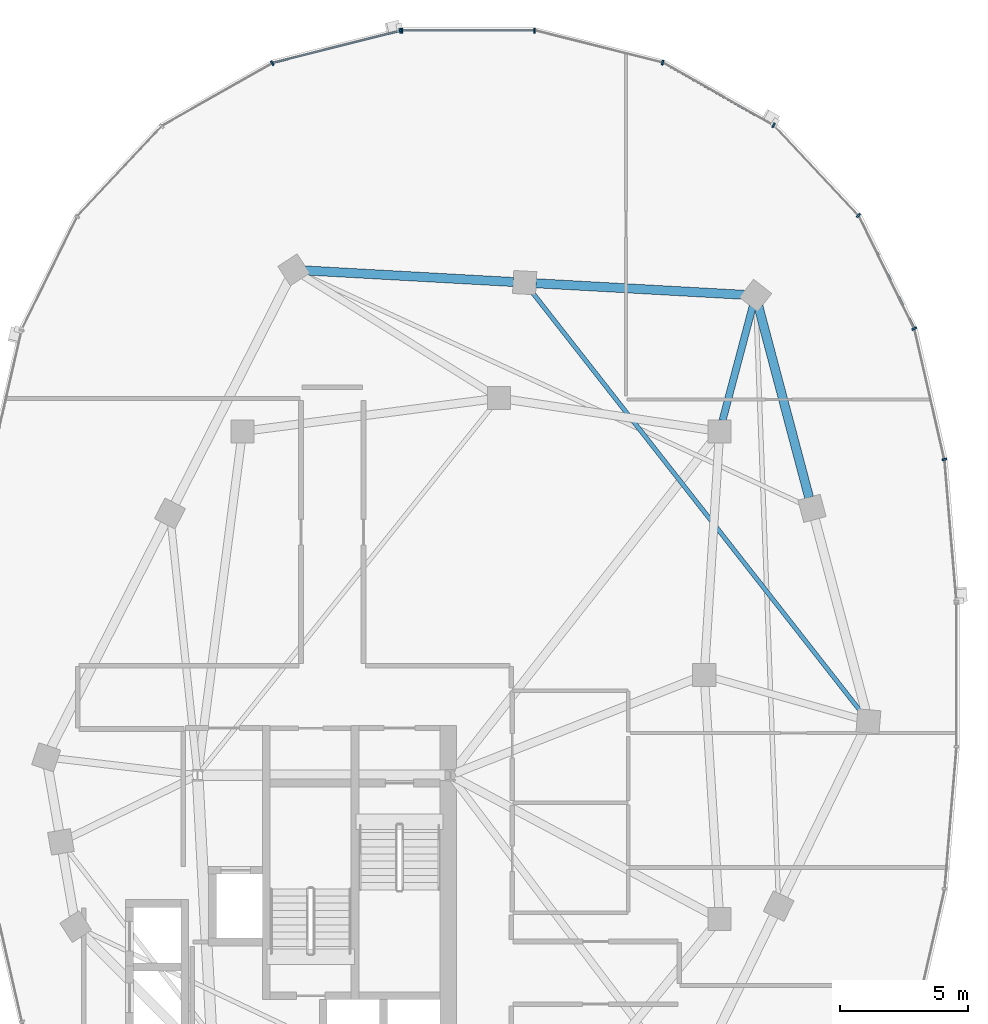
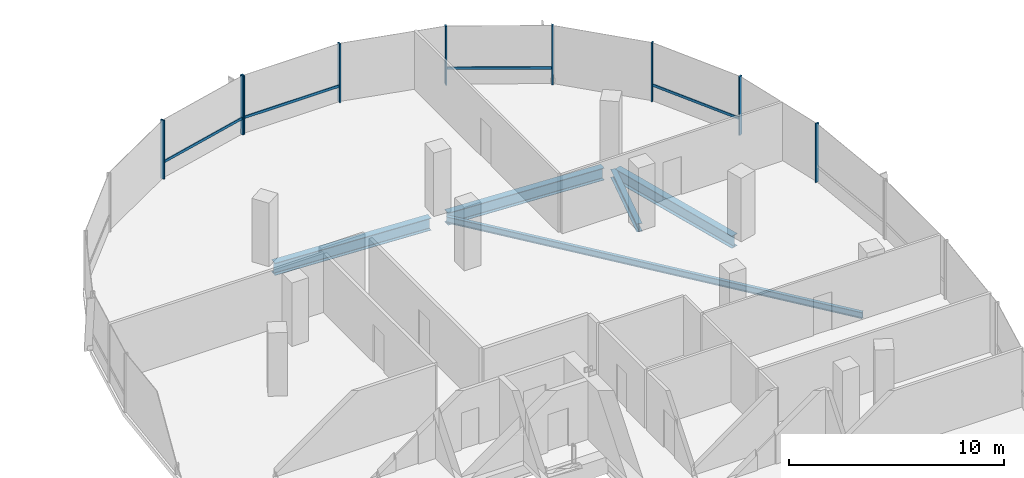
# One storey, part 12 of 25: 13 members, 5 beams, 2 elements without a shape of their own.
"""IFC4 building model written with IfcOpenShell, lengths in metres."""

from ifc_helpers import new_model, si_unit, direction, frame, origin, origin_2d, place, context, subcontext, project, spatial, rectangle, i_section, extrude, material, material_profile, profile_set, type_object, element, aggregate, save


model = new_model("IFC4")

# Units and contexts
model_context = context("Model", 3, precision=1e-05, world=origin(), true_north=direction((0.0, 1.0)))
body_context = subcontext(model_context, "Body", "Model", "MODEL_VIEW")
ifc_project = project(units=[si_unit("LENGTHUNIT", "METRE"), si_unit("AREAUNIT", "SQUARE_METRE"), si_unit("VOLUMEUNIT", "CUBIC_METRE"), si_unit("PLANEANGLEUNIT", "RADIAN"), si_unit("MASSUNIT", "GRAM", prefix="KILO"), si_unit("THERMODYNAMICTEMPERATUREUNIT", "KELVIN"), si_unit("POWERUNIT", "WATT")], contexts=[model_context])

# Site, building, storey
site_placement = place(None, origin())
site = spatial("IfcSite", under=ifc_project, at=site_placement, CompositionType="ELEMENT")
building_placement = place(site_placement, origin())
building = spatial("IfcBuilding", under=site, at=building_placement, Name="Cundina Bronze Exchange", CompositionType="ELEMENT")
storey_placement = place(building_placement, frame((0.0, 0.0, 217.0)))
storey = spatial("IfcBuildingStorey", under=building, at=storey_placement, Name="L57", CompositionType="ELEMENT", Elevation=217.0)

# Beams
ifc_material_1 = material(Name="Steel ASTM A992 Grade 50", Category="steel")
ifc_material_profile_1 = material_profile(ifc_material_1, i_section(OverallWidth=0.280029296875, OverallDepth=0.462890625, WebThickness=0.0107421875, FlangeThickness=0.017333984375, FilletRadius=0.011962890625, at=origin_2d()), Name="W18X76", Category="steel")
ifc_profile_set_1 = profile_set([ifc_material_profile_1], Name="Steel ASTM A992 Grade 50")
beam_type_1 = type_object("IfcBeamType", Name="BM-FLR-W18A", PredefinedType="BEAM", material=ifc_profile_set_1)
beam_1_placement = place(storey_placement, frame((41.911865234375, 9.923583984375, -0.491455078125), z_axis=(0.255398602339, 0.96683584642, 0.0), x_axis=(-0.96683584642, 0.255398602339, 0.0)))
element("IfcBeam", 1, at=beam_1_placement, inside=storey, type_object=beam_type_1, Name="L57 Leg E Chordal Floor Beam 10", PredefinedType="BEAM", context=body_context, shape_type="SweptSolid", body=[
    extrude(i_section(OverallWidth=0.280029296875, OverallDepth=0.462890625, WebThickness=0.0107421875, FlangeThickness=0.017333984375, FilletRadius=0.011962890625, at=origin_2d()), origin(), (0.0, 0.0, 1.0), 4.605712890625),
])
ifc_material_profile_2 = material_profile(ifc_material_1, i_section(OverallWidth=0.172119140625, OverallDepth=0.35791015625, WebThickness=0.0078125, FlangeThickness=0.01318359375, FilletRadius=0.010009765625, at=origin_2d()), Name="W14X38", Category="steel")
ifc_profile_set_2 = profile_set([ifc_material_profile_2], Name="Steel ASTM A992 Grade 50")
beam_type_2 = type_object("IfcBeamType", Name="BM-JST-W14", PredefinedType="JOIST", material=ifc_profile_set_2)
beam_2_placement = place(storey_placement, frame((47.329833984375, -1.455078125, -0.43896484375), z_axis=(-0.616810493522, 0.787111691618, 0.0), x_axis=(-0.787111691618, -0.616810493522, 0.0)))
element("IfcBeam", 2, at=beam_2_placement, inside=storey, type_object=beam_type_2, Name="L57 Leg E Lobe Floor Joist 08-11", PredefinedType="JOIST", context=body_context, shape_type="SweptSolid", body=[
    extrude(i_section(OverallWidth=0.172119140625, OverallDepth=0.35791015625, WebThickness=0.0078125, FlangeThickness=0.01318359375, FilletRadius=0.010009765625, at=origin_2d()), origin(), (0.0, 0.0, 1.0), 20.8486328125),
])
ifc_material_profile_3 = material_profile(ifc_material_1, i_section(OverallWidth=0.35498046875, OverallDepth=0.695068359375, WebThickness=0.015380859375, FlangeThickness=0.02490234375, FilletRadius=0.01806640625, at=origin_2d()), Name="W27X146", Category="steel")
ifc_profile_set_3 = profile_set([ifc_material_profile_3], Name="Steel ASTM A992 Grade 50")
beam_type_3 = type_object("IfcBeamType", Name="BM-RING-W27", PredefinedType="USERDEFINED", material=ifc_profile_set_3)
beam_3_placement = place(storey_placement, frame((45.287841796875, 6.92333984375, -0.607421875), z_axis=(-0.256211934474, 0.966620631185, 0.0), x_axis=(-0.966620631185, -0.256211934474, 0.0)))
element("IfcBeam", 3, at=beam_3_placement, inside=storey, type_object=beam_type_3, Name="L57 E Perimeter Ring Girder 09", ObjectType="GIRDER", PredefinedType="USERDEFINED", context=body_context, shape_type="SweptSolid", body=[
    extrude(i_section(OverallWidth=0.35498046875, OverallDepth=0.695068359375, WebThickness=0.015380859375, FlangeThickness=0.02490234375, FilletRadius=0.01806640625, at=origin_2d()), origin(), (0.0, 0.0, 1.0), 7.710693359375),
])
for number, where, z_axis, x_axis, name in (
    (4, (42.7626953125, 14.82421875, -0.607421875), (-0.998460353205, 0.055470019623, 0.0), (-0.055470019623, -0.998460353205, 0.0), "L57 E Perimeter Ring Girder 10"),
    (5, (33.7626953125, 15.32421875, -0.607421875), (-0.998460353205, 0.055470019623, 0.0), (-0.055470019623, -0.998460353205, 0.0), "L57 E Perimeter Ring Girder 11"),
):
    element("IfcBeam", number, at=place(storey_placement, frame(where, z_axis=z_axis, x_axis=x_axis)), inside=storey, type_object=beam_type_3, Name=name, ObjectType="GIRDER", PredefinedType="USERDEFINED", context=body_context, shape_type="SweptSolid", body=[
        extrude(i_section(OverallWidth=0.35498046875, OverallDepth=0.695068359375, WebThickness=0.015380859375, FlangeThickness=0.02490234375, FilletRadius=0.01806640625, at=origin_2d()), origin(), (0.0, 0.0, 1.0), 8.137939453125),
    ])

# Curtain wall, members
ifc_material_2 = material(Name="Anodised Bronze Aluminium 6063-T6", Category="aluminium")
curtain_wall_type = type_object("IfcCurtainWallType", Name="CWS-UPP-OFF", PredefinedType="NOTDEFINED", material=ifc_material_2)
curtain_wall_1_placement = place(storey_placement, origin())
curtain_wall_1 = element("IfcCurtainWall", 6, at=curtain_wall_1_placement, inside=storey, type_object=curtain_wall_type, Name="L57 CW-05 Curtain Wall Run CWR-L57-E1", PredefinedType="NOTDEFINED")
ifc_material_profile_4 = material_profile(ifc_material_2, rectangle(XDim=0.070068359375, YDim=0.18994140625, at=origin_2d()), Name="AL70X190", Category="aluminium")
ifc_profile_set_4 = profile_set([ifc_material_profile_4], Name="Anodised Bronze Aluminium 6063-T6")
member_type_1 = type_object("IfcMemberType", Name="CWM-MUL-190", PredefinedType="MULLION", material=ifc_profile_set_4)
member_1_placement = place(storey_placement, frame((50.56005859375, 8.4111328125, 0.0), z_axis=(0.0, 0.0, 1.0), x_axis=(-0.223250116011, 0.974761194191, 0.0)))
member_1 = element("IfcMember", 7, at=member_1_placement, type_object=member_type_1, Name="CW-05 Mullion 2", PredefinedType="MULLION", context=body_context, shape_type="SweptSolid", body=[
    extrude(rectangle(XDim=0.070068359375, YDim=0.18994140625, at=origin_2d()), origin(), (0.0, 0.0, 1.0), 3.340087890625),
])
member_2_placement = place(storey_placement, frame((49.38427734375, 13.50732421875, 0.0), z_axis=(0.0, 0.0, 1.0), x_axis=(-0.440566004113, 0.897720221461, 0.0)))
member_2 = element("IfcMember", 8, at=member_2_placement, type_object=member_type_1, Name="CW-05 Mullion 3", PredefinedType="MULLION", context=body_context, shape_type="SweptSolid", body=[
    extrude(rectangle(XDim=0.070068359375, YDim=0.18994140625, at=origin_2d()), origin(), (0.0, 0.0, 1.0), 3.340087890625),
])
member_3_placement = place(storey_placement, frame((47.209716796875, 17.91796875, 0.0), z_axis=(0.0, 0.0, 1.0), x_axis=(-0.684292606175, 0.729207535023, 0.0)))
member_3 = element("IfcMember", 9, at=member_3_placement, type_object=member_type_1, Name="CW-05 Mullion 4", PredefinedType="MULLION", context=body_context, shape_type="SweptSolid", body=[
    extrude(rectangle(XDim=0.070068359375, YDim=0.18994140625, at=origin_2d()), origin(), (0.0, 0.0, 1.0), 3.340087890625),
])
member_4_placement = place(storey_placement, frame((43.899658203125, 21.43115234375, 0.0), z_axis=(0.0, 0.0, 1.0), x_axis=(-0.86958112538, 0.493790103568, 0.0)))
member_4 = element("IfcMember", 10, at=member_4_placement, type_object=member_type_1, Name="CW-05 Mullion 5", PredefinedType="MULLION", context=body_context, shape_type="SweptSolid", body=[
    extrude(rectangle(XDim=0.070068359375, YDim=0.18994140625, at=origin_2d()), origin(), (0.0, 0.0, 1.0), 3.340087890625),
])
member_5_placement = place(storey_placement, frame((39.577392578125, 23.87548828125, 0.0), z_axis=(0.0, 0.0, 1.0), x_axis=(-0.969744325821, 0.244122802168, 0.0)))
member_5 = element("IfcMember", 11, at=member_5_placement, type_object=member_type_1, Name="CW-05 Mullion 6", PredefinedType="MULLION", context=body_context, shape_type="SweptSolid", body=[
    extrude(rectangle(XDim=0.070068359375, YDim=0.18994140625, at=origin_2d()), origin(), (0.0, 0.0, 1.0), 3.340087890625),
])
member_6_placement = place(storey_placement, frame((34.580078125, 25.125, 0.0), z_axis=(0.0, 0.0, 1.0), x_axis=(-1.0, 0.0, 0.0)))
member_6 = element("IfcMember", 12, at=member_6_placement, type_object=member_type_1, Name="CW-05 Mullion 7", PredefinedType="MULLION", context=body_context, shape_type="SweptSolid", body=[
    extrude(rectangle(XDim=0.070068359375, YDim=0.18994140625, at=origin_2d()), origin(), (0.0, 0.0, 1.0), 3.340087890625),
])
member_7_placement = place(storey_placement, frame((29.419921875, 25.125, 0.0), z_axis=(0.0, 0.0, 1.0), x_axis=(-1.0, 0.0, 0.0)))
member_7 = element("IfcMember", 13, at=member_7_placement, type_object=member_type_1, Name="CW-05 End Mullion", PredefinedType="MULLION", context=body_context, shape_type="SweptSolid", body=[
    extrude(rectangle(XDim=0.070068359375, YDim=0.18994140625, at=origin_2d()), origin(), (0.0, 0.0, 1.0), 3.340087890625),
])

curtain_wall_2_placement = place(storey_placement, origin())
curtain_wall_2 = element("IfcCurtainWall", 14, at=curtain_wall_2_placement, inside=storey, type_object=curtain_wall_type, Name="L57 CW-05 Curtain Wall Run CWR-L57-E2", PredefinedType="NOTDEFINED")
member_8_placement = place(storey_placement, frame((29.3515625, 25.116455078125, 0.0), z_axis=(0.0, 0.0, 1.0), x_axis=(-0.969744325821, -0.244122802168, 0.0)))
member_8 = element("IfcMember", 15, at=member_8_placement, type_object=member_type_1, Name="CW-05 Mullion 1", PredefinedType="MULLION", context=body_context, shape_type="SweptSolid", body=[
    extrude(rectangle(XDim=0.070068359375, YDim=0.18994140625, at=origin_2d()), origin(), (0.0, 0.0, 1.0), 3.340087890625),
])
member_9_placement = place(storey_placement, frame((24.361083984375, 23.850830078125, 0.0), z_axis=(0.0, 0.0, 1.0), x_axis=(-0.86958112538, -0.493790103568, 0.0)))
member_9 = element("IfcMember", 16, at=member_9_placement, type_object=member_type_1, Name="CW-05 Mullion 2", PredefinedType="MULLION", context=body_context, shape_type="SweptSolid", body=[
    extrude(rectangle(XDim=0.070068359375, YDim=0.18994140625, at=origin_2d()), origin(), (0.0, 0.0, 1.0), 3.340087890625),
])

# Member
ifc_material_profile_5 = material_profile(ifc_material_2, rectangle(XDim=0.06494140625, YDim=0.14990234375, at=origin_2d()), Name="AL65X150", Category="aluminium")
ifc_profile_set_5 = profile_set([ifc_material_profile_5], Name="Anodised Bronze Aluminium 6063-T6")
member_type_2 = type_object("IfcMemberType", Name="CWM-TRN-150", PredefinedType="USERDEFINED", material=ifc_profile_set_5)
member_10_placement = place(storey_placement, frame((49.3671875, 13.5419921875, 0.919921875), z_axis=(-0.440483110889, 0.897760897467, 0.0), x_axis=(-0.897760897467, -0.440483110889, 0.0)))
member_10 = element("IfcMember", 17, at=member_10_placement, type_object=member_type_2, Name="CW-05 Spandrel Transom 3", ObjectType="TRANSOM", PredefinedType="USERDEFINED", context=body_context, shape_type="SweptSolid", body=[
    extrude(rectangle(XDim=0.06494140625, YDim=0.14990234375, at=origin_2d()), origin(), (0.0, 0.0, 1.0), 4.855224609375),
])

member_11_placement = place(storey_placement, frame((43.8662109375, 21.4501953125, 0.919921875), z_axis=(-0.869573748083, 0.493803095013, 0.0), x_axis=(-0.493803095013, -0.869573748083, 0.0)))
member_11 = element("IfcMember", 18, at=member_11_placement, type_object=member_type_2, Name="CW-05 Spandrel Transom 5", ObjectType="TRANSOM", PredefinedType="USERDEFINED", context=body_context, shape_type="SweptSolid", body=[
    extrude(rectangle(XDim=0.06494140625, YDim=0.14990234375, at=origin_2d()), origin(), (0.0, 0.0, 1.0), 4.900146484375),
])

member_12_placement = place(storey_placement, frame((34.54150390625, 25.125, 0.919921875), z_axis=(-1.0, 0.0, 0.0), x_axis=(0.0, -1.0, 0.0)))
member_12 = element("IfcMember", 19, at=member_12_placement, type_object=member_type_2, Name="CW-05 Spandrel Transom 7", ObjectType="TRANSOM", PredefinedType="USERDEFINED", context=body_context, shape_type="SweptSolid", body=[
    extrude(rectangle(XDim=0.06494140625, YDim=0.14990234375, at=origin_2d()), origin(), (0.0, 0.0, 1.0), 5.0830078125),
])

aggregate(curtain_wall_1, [member_1, member_2, member_10, member_3, member_4, member_11, member_5, member_6, member_7, member_12])

member_13_placement = place(storey_placement, frame((29.314208984375, 25.107177734375, 0.919921875), z_axis=(-0.969725738797, -0.244196624699, 0.0), x_axis=(0.244196624699, -0.969725738797, 0.0)))
member_13 = element("IfcMember", 20, at=member_13_placement, type_object=member_type_2, Name="CW-05 Spandrel Transom 1", ObjectType="TRANSOM", PredefinedType="USERDEFINED", context=body_context, shape_type="SweptSolid", body=[
    extrude(rectangle(XDim=0.06494140625, YDim=0.14990234375, at=origin_2d()), origin(), (0.0, 0.0, 1.0), 5.082763671875),
])

aggregate(curtain_wall_2, [member_8, member_13, member_9])

save(model, "model.ifc")
